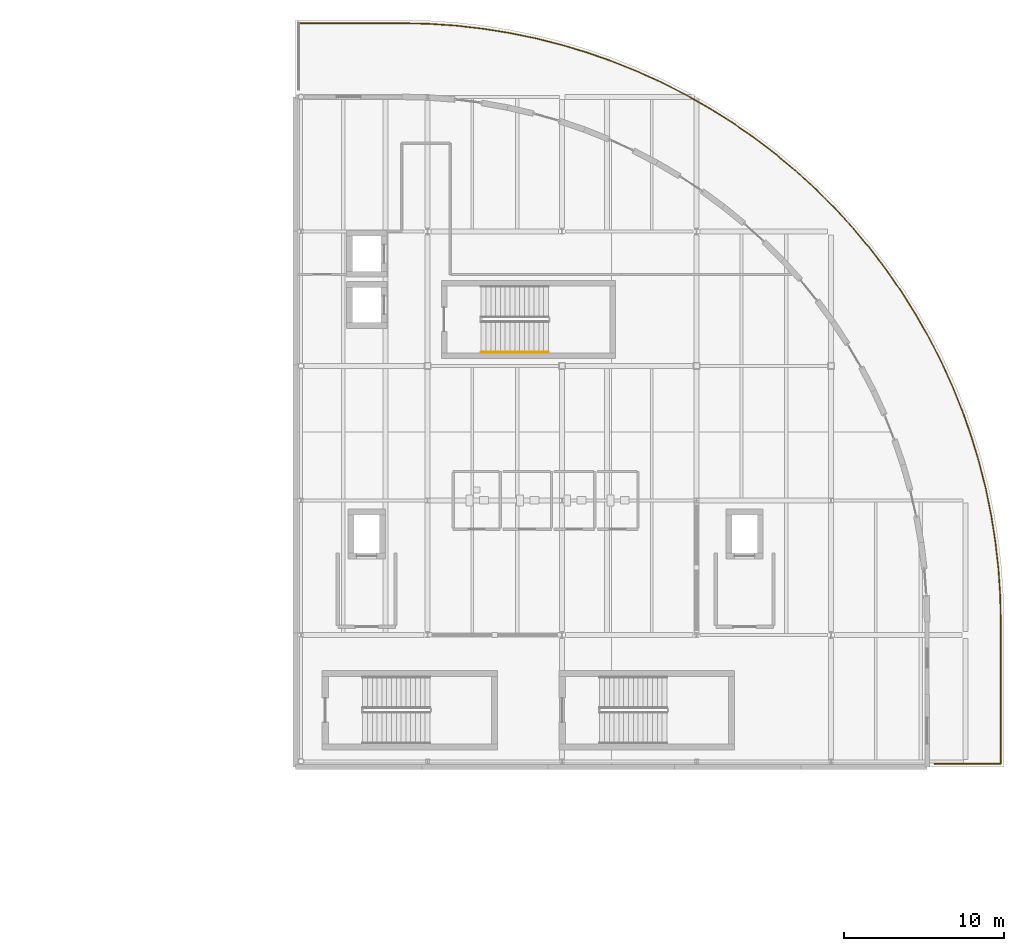
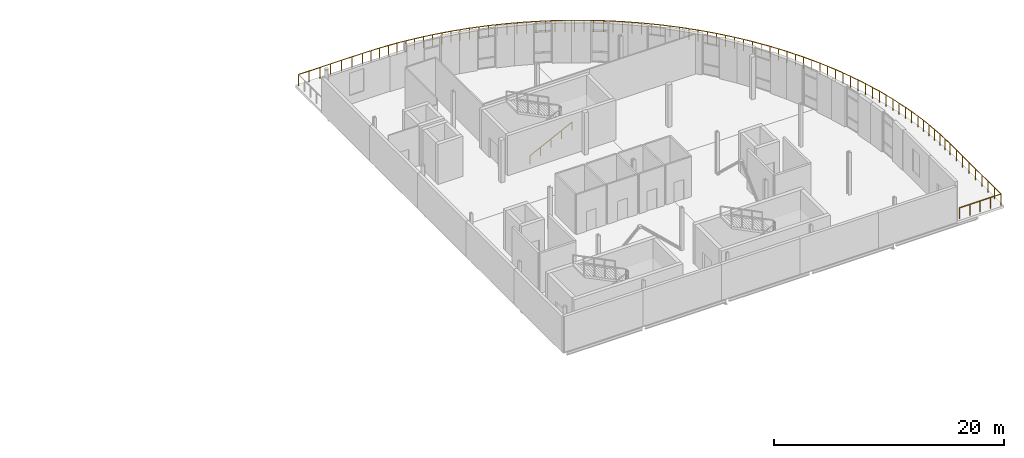
# One storey, part 38 of 40: 2 railings.
"""IFC4 building model written with IfcOpenShell, lengths in metres."""

from ifc_helpers import new_model, si_unit, direction, frame, origin, origin_2d, place, context, subcontext, project, spatial, circle, extrude, material, type_object, element, save


model = new_model("IFC4")

# Units and contexts
model_context = context("Model", 3, precision=1e-05, world=origin(), true_north=direction((0.0, 1.0)))
body_context = subcontext(model_context, "Body", "Model", "MODEL_VIEW")
ifc_project = project(units=[si_unit("LENGTHUNIT", "METRE"), si_unit("AREAUNIT", "SQUARE_METRE"), si_unit("VOLUMEUNIT", "CUBIC_METRE"), si_unit("PLANEANGLEUNIT", "RADIAN"), si_unit("MASSUNIT", "GRAM", prefix="KILO"), si_unit("THERMODYNAMICTEMPERATUREUNIT", "KELVIN")], contexts=[model_context])

# Site, building, storey
site_placement = place(None, origin())
site = spatial("IfcSite", under=ifc_project, at=site_placement, CompositionType="ELEMENT")
building_placement = place(site_placement, origin())
building = spatial("IfcBuilding", under=site, at=building_placement, Name="Lustrewick Department Store", CompositionType="ELEMENT")
storey_placement = place(building_placement, frame((0.0, 0.0, 31.800048828125)))
storey = spatial("IfcBuildingStorey", under=building, at=storey_placement, Name="L07", CompositionType="ELEMENT", Elevation=31.800048828125)

# Railings
ifc_material_1 = material(Name="Laminated glass and anodized aluminium guardrail", Category="aluminium")
railing_type_1 = type_object("IfcRailingType", Name="RL-EXT", PredefinedType="GUARDRAIL", material=ifc_material_1)
railing_1_placement = place(storey_placement, frame((109.550048828125, 97.0, 0.0)))
element("IfcRailing", 1, at=railing_1_placement, inside=storey, type_object=railing_type_1, Name="L07 Terrace Perimeter Guardrail 0018", PredefinedType="GUARDRAIL", context=body_context, shape_type="SweptSolid", body=[
    extrude(circle(Radius=0.02392578125, at=origin_2d()), frame((0.0, 0.0, 1.17578125), z_axis=(1.0, 0.0, 0.0), x_axis=(0.0, 1.0, 0.0)), (0.0, 0.0, 1.0), 6.44775390625),
    extrude(circle(Radius=0.02392578125, at=origin_2d()), frame((6.44775390625, 0.0, 1.17578125), z_axis=(0.999749724092, -0.022371615448, 0.0), x_axis=(0.022371615448, 0.999749724092, 0.0)), (0.0, 0.0, 1.0), 1.6806640625),
    extrude(circle(Radius=0.02392578125, at=origin_2d()), frame((8.1279296875, -0.03759765625, 1.17578125), z_axis=(0.997729459288, -0.067349284101, 0.0), x_axis=(0.067349284101, 0.997729459288, 0.0)), (0.0, 0.0, 1.0), 1.678466796875),
    extrude(circle(Radius=0.02392578125, at=origin_2d()), frame((9.802490234375, -0.150634765625, 1.17578125), z_axis=(0.993724850983, -0.111852226347, 0.0), x_axis=(0.111852226347, 0.993724850983, 0.0)), (0.0, 0.0, 1.0), 1.678466796875),
    extrude(circle(Radius=0.02392578125, at=origin_2d()), frame((11.470458984375, -0.33837890625, 1.17578125), z_axis=(0.987671970367, -0.156537787615, 0.0), x_axis=(0.156537787615, 0.987671970367, 0.0)), (0.0, 0.0, 1.0), 1.67822265625),
    extrude(circle(Radius=0.02392578125, at=origin_2d()), frame((13.1279296875, -0.60107421875, 1.17578125), z_axis=(0.979675320836, -0.200589794719, 0.0), x_axis=(0.200589794719, 0.979675320836, 0.0)), (0.0, 0.0, 1.0), 1.678466796875),
    extrude(circle(Radius=0.02392578125, at=origin_2d()), frame((14.772216796875, -0.937744140625, 1.17578125), z_axis=(0.969678669936, -0.24438346317, 0.0), x_axis=(0.24438346317, 0.969678669936, 0.0)), (0.0, 0.0, 1.0), 1.67822265625),
    extrude(circle(Radius=0.02392578125, at=origin_2d()), frame((16.399658203125, -1.347900390625, 1.17578125), z_axis=(0.957754188918, -0.287588097128, 0.0), x_axis=(0.287588097128, 0.957754188918, 0.0)), (0.0, 0.0, 1.0), 1.67822265625),
    extrude(circle(Radius=0.02392578125, at=origin_2d()), frame((18.007080078125, -1.83056640625, 1.17578125), z_axis=(0.943865159239, -0.330330987306, 0.0), x_axis=(0.330330987306, 0.943865159239, 0.0)), (0.0, 0.0, 1.0), 1.678466796875),
    extrude(circle(Radius=0.02392578125, at=origin_2d()), frame((19.59130859375, -2.385009765625, 1.17578125), z_axis=(0.928145287633, -0.37221811488, 0.0), x_axis=(0.37221811488, 0.928145287633, 0.0)), (0.0, 0.0, 1.0), 1.678466796875),
    extrude(circle(Radius=0.02392578125, at=origin_2d()), frame((21.149169921875, -3.009765625, 1.17578125), z_axis=(0.910476043727, -0.413561813759, 0.0), x_axis=(0.413561813759, 0.910476043727, 0.0)), (0.0, 0.0, 1.0), 1.67822265625),
    extrude(circle(Radius=0.02392578125, at=origin_2d()), frame((22.67724609375, -3.703857421875, 1.17578125), z_axis=(0.890997307839, -0.45400858739, 0.0), x_axis=(0.45400858739, 0.890997307839, 0.0)), (0.0, 0.0, 1.0), 1.67822265625),
    extrude(circle(Radius=0.02392578125, at=origin_2d()), frame((24.172607421875, -4.4658203125, 1.17578125), z_axis=(0.86977872885, -0.493441954885, 0.0), x_axis=(0.493441954885, 0.86977872885, 0.0)), (0.0, 0.0, 1.0), 1.67822265625),
    extrude(circle(Radius=0.02392578125, at=origin_2d()), frame((25.63232421875, -5.2939453125, 1.17578125), z_axis=(0.846696462318, -0.532076217001, 0.0), x_axis=(0.532076217001, 0.846696462318, 0.0)), (0.0, 0.0, 1.0), 1.678466796875),
    extrude(circle(Radius=0.02392578125, at=origin_2d()), frame((27.053466796875, -6.18701171875, 1.17578125), z_axis=(0.822003628289, -0.56948225177, 0.0), x_axis=(0.56948225177, 0.822003628289, 0.0)), (0.0, 0.0, 1.0), 1.678466796875),
    extrude(circle(Radius=0.02392578125, at=origin_2d()), frame((28.43310546875, -7.142822265625, 1.17578125), z_axis=(0.795685428822, -0.605710077809, 0.0), x_axis=(0.605710077809, 0.795685428822, 0.0)), (0.0, 0.0, 1.0), 1.678466796875),
    extrude(circle(Radius=0.02392578125, at=origin_2d()), frame((29.7685546875, -8.159423828125, 1.17578125), z_axis=(0.767612846365, -0.640913814873, 0.0), x_axis=(0.640913814873, 0.767612846365, 0.0)), (0.0, 0.0, 1.0), 1.678466796875),
    extrude(circle(Radius=0.02392578125, at=origin_2d()), frame((31.056884765625, -9.235107421875, 1.17578125), z_axis=(0.738107459619, -0.674683168647, 0.0), x_axis=(0.674683168647, 0.738107459619, 0.0)), (0.0, 0.0, 1.0), 1.67822265625),
    extrude(circle(Radius=0.02392578125, at=origin_2d()), frame((32.295654296875, -10.367431640625, 1.17578125), z_axis=(0.707106781187, -0.707106781187, 0.0), x_axis=(0.707106781187, 0.707106781187, 0.0)), (0.0, 0.0, 1.0), 1.67822265625),
    extrude(circle(Radius=0.02392578125, at=origin_2d()), frame((33.482421875, -11.55419921875, 1.17578125), z_axis=(0.674610731481, -0.738173665861, 0.0), x_axis=(0.738173665861, 0.674610731481, 0.0)), (0.0, 0.0, 1.0), 1.678466796875),
    extrude(circle(Radius=0.02392578125, at=origin_2d()), frame((34.61474609375, -12.793212890625, 1.17578125), z_axis=(0.640913814873, -0.767612846365, 0.0), x_axis=(0.767612846365, 0.640913814873, 0.0)), (0.0, 0.0, 1.0), 1.678466796875),
    extrude(circle(Radius=0.02392578125, at=origin_2d()), frame((35.6904296875, -14.08154296875, 1.17578125), z_axis=(0.605710077809, -0.795685428822, 0.0), x_axis=(0.795685428822, 0.605710077809, 0.0)), (0.0, 0.0, 1.0), 1.678466796875),
    extrude(circle(Radius=0.02392578125, at=origin_2d()), frame((36.70703125, -15.4169921875, 1.17578125), z_axis=(0.56955035094, -0.821956445162, 0.0), x_axis=(0.821956445162, 0.56955035094, 0.0)), (0.0, 0.0, 1.0), 1.67822265625),
    extrude(circle(Radius=0.02392578125, at=origin_2d()), frame((37.662841796875, -16.79638671875, 1.17578125), z_axis=(0.532076217001, -0.846696462318, 0.0), x_axis=(0.846696462318, 0.532076217001, 0.0)), (0.0, 0.0, 1.0), 1.678466796875),
    extrude(circle(Radius=0.02392578125, at=origin_2d()), frame((38.555908203125, -18.217529296875, 1.17578125), z_axis=(0.493441954885, -0.86977872885, 0.0), x_axis=(0.86977872885, 0.493441954885, 0.0)), (0.0, 0.0, 1.0), 1.67822265625),
    extrude(circle(Radius=0.02392578125, at=origin_2d()), frame((39.384033203125, -19.67724609375, 1.17578125), z_axis=(0.454065214568, -0.890968451136, 0.0), x_axis=(0.890968451136, 0.454065214568, 0.0)), (0.0, 0.0, 1.0), 1.6787109375),
    extrude(circle(Radius=0.02392578125, at=origin_2d()), frame((40.146240234375, -21.1728515625, 1.17578125), z_axis=(0.413441215842, -0.910530812792, 0.0), x_axis=(0.910530812792, 0.413441215842, 0.0)), (0.0, 0.0, 1.0), 1.67822265625),
    extrude(circle(Radius=0.02392578125, at=origin_2d()), frame((40.840087890625, -22.700927734375, 1.17578125), z_axis=(0.37239367528, -0.928074862612, 0.0), x_axis=(0.928074862612, 0.37239367528, 0.0)), (0.0, 0.0, 1.0), 1.67822265625),
    extrude(circle(Radius=0.02392578125, at=origin_2d()), frame((41.465087890625, -24.258544921875, 1.17578125), z_axis=(0.330201393756, -0.943910504, 0.0), x_axis=(0.943910504, 0.330201393756, 0.0)), (0.0, 0.0, 1.0), 1.678466796875),
    extrude(circle(Radius=0.02392578125, at=origin_2d()), frame((42.019287109375, -25.8427734375, 1.17578125), z_axis=(0.287721524552, -0.957714114081, 0.0), x_axis=(0.957714114081, 0.287721524552, 0.0)), (0.0, 0.0, 1.0), 1.678466796875),
    extrude(circle(Radius=0.02392578125, at=origin_2d()), frame((42.502197265625, -27.4501953125, 1.17578125), z_axis=(0.24438346317, -0.969678669936, 0.0), x_axis=(0.969678669936, 0.24438346317, 0.0)), (0.0, 0.0, 1.0), 1.67822265625),
    extrude(circle(Radius=0.02392578125, at=origin_2d()), frame((42.912353515625, -29.07763671875, 1.17578125), z_axis=(0.200589794719, -0.979675320836, 0.0), x_axis=(0.979675320836, 0.200589794719, 0.0)), (0.0, 0.0, 1.0), 1.678466796875),
    extrude(circle(Radius=0.02392578125, at=origin_2d()), frame((43.2490234375, -30.721923828125, 1.17578125), z_axis=(0.156373396436, -0.987698010977, 0.0), x_axis=(0.987698010977, 0.156373396436, 0.0)), (0.0, 0.0, 1.0), 1.678466796875),
    extrude(circle(Radius=0.02392578125, at=origin_2d()), frame((43.511474609375, -32.379638671875, 1.17578125), z_axis=(0.111995854638, -0.99370867388, 0.0), x_axis=(0.99370867388, 0.111995854638, 0.0)), (0.0, 0.0, 1.0), 1.678466796875),
    extrude(circle(Radius=0.02392578125, at=origin_2d()), frame((43.699462890625, -34.047607421875, 1.17578125), z_axis=(0.067204478967, -0.997739223448, 0.0), x_axis=(0.997739223448, 0.067204478967, 0.0)), (0.0, 0.0, 1.0), 1.678466796875),
    extrude(circle(Radius=0.02392578125, at=origin_2d()), frame((43.812255859375, -35.72216796875, 1.17578125), z_axis=(0.022374865036, -0.99974965137, 0.0), x_axis=(0.99974965137, 0.022374865036, 0.0)), (0.0, 0.0, 1.0), 1.680419921875),
    extrude(circle(Radius=0.02392578125, at=origin_2d()), frame((43.849853515625, -37.402099609375, 1.17578125), z_axis=(0.0, -1.0, 0.0), x_axis=(1.0, 0.0, 0.0)), (0.0, 0.0, 1.0), 8.847900390625),
    extrude(circle(Radius=0.02392578125, at=origin_2d()), frame((43.849853515625, -46.25, 1.17578125), z_axis=(-1.0, 0.0, 0.0), x_axis=(0.0, -1.0, 0.0)), (0.0, 0.0, 1.0), 4.14990234375),
    extrude(circle(Radius=0.02099609375, at=origin_2d()), origin(), (0.0, 0.0, 1.0), 1.15185546875),
    extrude(circle(Radius=0.02099609375, at=origin_2d()), frame((1.07470703125, 0.0, 0.0)), (0.0, 0.0, 1.0), 1.15185546875),
    extrude(circle(Radius=0.02099609375, at=origin_2d()), frame((2.149169921875, 0.0, 0.0)), (0.0, 0.0, 1.0), 1.15185546875),
    extrude(circle(Radius=0.02099609375, at=origin_2d()), frame((3.223876953125, 0.0, 0.0)), (0.0, 0.0, 1.0), 1.15185546875),
    extrude(circle(Radius=0.02099609375, at=origin_2d()), frame((4.298583984375, 0.0, 0.0)), (0.0, 0.0, 1.0), 1.15185546875),
    extrude(circle(Radius=0.02099609375, at=origin_2d()), frame((5.373046875, 0.0, 0.0)), (0.0, 0.0, 1.0), 1.15185546875),
    extrude(circle(Radius=0.02099609375, at=origin_2d()), frame((6.44775390625, 0.0, 0.0)), (0.0, 0.0, 1.0), 1.15185546875),
    extrude(circle(Radius=0.02099609375, at=origin_2d()), frame((7.287841796875, -0.018798828125, 0.0)), (0.0, 0.0, 1.0), 1.15185546875),
    extrude(circle(Radius=0.02099609375, at=origin_2d()), frame((8.1279296875, -0.03759765625, 0.0)), (0.0, 0.0, 1.0), 1.15185546875),
    extrude(circle(Radius=0.02099609375, at=origin_2d()), frame((8.96533203125, -0.09423828125, 0.0)), (0.0, 0.0, 1.0), 1.15185546875),
    extrude(circle(Radius=0.02099609375, at=origin_2d()), frame((9.802490234375, -0.150634765625, 0.0)), (0.0, 0.0, 1.0), 1.15185546875),
    extrude(circle(Radius=0.02099609375, at=origin_2d()), frame((10.636474609375, -0.24462890625, 0.0)), (0.0, 0.0, 1.0), 1.15185546875),
    extrude(circle(Radius=0.02099609375, at=origin_2d()), frame((11.470458984375, -0.33837890625, 0.0)), (0.0, 0.0, 1.0), 1.15185546875),
    extrude(circle(Radius=0.02099609375, at=origin_2d()), frame((12.29931640625, -0.4697265625, 0.0)), (0.0, 0.0, 1.0), 1.15185546875),
    extrude(circle(Radius=0.02099609375, at=origin_2d()), frame((13.1279296875, -0.60107421875, 0.0)), (0.0, 0.0, 1.0), 1.15185546875),
    extrude(circle(Radius=0.02099609375, at=origin_2d()), frame((13.9501953125, -0.76953125, 0.0)), (0.0, 0.0, 1.0), 1.15185546875),
    extrude(circle(Radius=0.02099609375, at=origin_2d()), frame((14.772216796875, -0.937744140625, 0.0)), (0.0, 0.0, 1.0), 1.15185546875),
    extrude(circle(Radius=0.02099609375, at=origin_2d()), frame((15.5859375, -1.142822265625, 0.0)), (0.0, 0.0, 1.0), 1.15185546875),
    extrude(circle(Radius=0.02099609375, at=origin_2d()), frame((16.399658203125, -1.347900390625, 0.0)), (0.0, 0.0, 1.0), 1.15185546875),
    extrude(circle(Radius=0.02099609375, at=origin_2d()), frame((17.203369140625, -1.58935546875, 0.0)), (0.0, 0.0, 1.0), 1.15185546875),
    extrude(circle(Radius=0.02099609375, at=origin_2d()), frame((18.007080078125, -1.83056640625, 0.0)), (0.0, 0.0, 1.0), 1.15185546875),
    extrude(circle(Radius=0.02099609375, at=origin_2d()), frame((18.79931640625, -2.10791015625, 0.0)), (0.0, 0.0, 1.0), 1.15185546875),
    extrude(circle(Radius=0.02099609375, at=origin_2d()), frame((19.59130859375, -2.385009765625, 0.0)), (0.0, 0.0, 1.0), 1.15185546875),
    extrude(circle(Radius=0.02099609375, at=origin_2d()), frame((20.3701171875, -2.697265625, 0.0)), (0.0, 0.0, 1.0), 1.15185546875),
    extrude(circle(Radius=0.02099609375, at=origin_2d()), frame((21.149169921875, -3.009765625, 0.0)), (0.0, 0.0, 1.0), 1.15185546875),
    extrude(circle(Radius=0.02099609375, at=origin_2d()), frame((21.9130859375, -3.35693359375, 0.0)), (0.0, 0.0, 1.0), 1.15185546875),
    extrude(circle(Radius=0.02099609375, at=origin_2d()), frame((22.67724609375, -3.703857421875, 0.0)), (0.0, 0.0, 1.0), 1.15185546875),
    extrude(circle(Radius=0.02099609375, at=origin_2d()), frame((23.4248046875, -4.0849609375, 0.0)), (0.0, 0.0, 1.0), 1.15185546875),
    extrude(circle(Radius=0.02099609375, at=origin_2d()), frame((24.172607421875, -4.4658203125, 0.0)), (0.0, 0.0, 1.0), 1.15185546875),
    extrude(circle(Radius=0.02099609375, at=origin_2d()), frame((24.90234375, -4.8798828125, 0.0)), (0.0, 0.0, 1.0), 1.15185546875),
    extrude(circle(Radius=0.02099609375, at=origin_2d()), frame((25.63232421875, -5.2939453125, 0.0)), (0.0, 0.0, 1.0), 1.15185546875),
    extrude(circle(Radius=0.02099609375, at=origin_2d()), frame((26.3427734375, -5.740478515625, 0.0)), (0.0, 0.0, 1.0), 1.15185546875),
    extrude(circle(Radius=0.02099609375, at=origin_2d()), frame((27.053466796875, -6.18701171875, 0.0)), (0.0, 0.0, 1.0), 1.15185546875),
    extrude(circle(Radius=0.02099609375, at=origin_2d()), frame((27.7431640625, -6.6650390625, 0.0)), (0.0, 0.0, 1.0), 1.15185546875),
    extrude(circle(Radius=0.02099609375, at=origin_2d()), frame((28.43310546875, -7.142822265625, 0.0)), (0.0, 0.0, 1.0), 1.15185546875),
    extrude(circle(Radius=0.02099609375, at=origin_2d()), frame((29.100830078125, -7.651123046875, 0.0)), (0.0, 0.0, 1.0), 1.15185546875),
    extrude(circle(Radius=0.02099609375, at=origin_2d()), frame((29.7685546875, -8.159423828125, 0.0)), (0.0, 0.0, 1.0), 1.15185546875),
    extrude(circle(Radius=0.02099609375, at=origin_2d()), frame((30.41259765625, -8.697265625, 0.0)), (0.0, 0.0, 1.0), 1.15185546875),
    extrude(circle(Radius=0.02099609375, at=origin_2d()), frame((31.056884765625, -9.235107421875, 0.0)), (0.0, 0.0, 1.0), 1.15185546875),
    extrude(circle(Radius=0.02099609375, at=origin_2d()), frame((31.67626953125, -9.80126953125, 0.0)), (0.0, 0.0, 1.0), 1.15185546875),
    extrude(circle(Radius=0.02099609375, at=origin_2d()), frame((32.295654296875, -10.367431640625, 0.0)), (0.0, 0.0, 1.0), 1.15185546875),
    extrude(circle(Radius=0.02099609375, at=origin_2d()), frame((32.88916015625, -10.9609375, 0.0)), (0.0, 0.0, 1.0), 1.15185546875),
    extrude(circle(Radius=0.02099609375, at=origin_2d()), frame((33.482421875, -11.55419921875, 0.0)), (0.0, 0.0, 1.0), 1.15185546875),
    extrude(circle(Radius=0.02099609375, at=origin_2d()), frame((34.048583984375, -12.173828125, 0.0)), (0.0, 0.0, 1.0), 1.15185546875),
    extrude(circle(Radius=0.02099609375, at=origin_2d()), frame((34.61474609375, -12.793212890625, 0.0)), (0.0, 0.0, 1.0), 1.15185546875),
    extrude(circle(Radius=0.02099609375, at=origin_2d()), frame((35.152587890625, -13.4375, 0.0)), (0.0, 0.0, 1.0), 1.15185546875),
    extrude(circle(Radius=0.02099609375, at=origin_2d()), frame((35.6904296875, -14.08154296875, 0.0)), (0.0, 0.0, 1.0), 1.15185546875),
    extrude(circle(Radius=0.02099609375, at=origin_2d()), frame((36.19873046875, -14.749267578125, 0.0)), (0.0, 0.0, 1.0), 1.15185546875),
    extrude(circle(Radius=0.02099609375, at=origin_2d()), frame((36.70703125, -15.4169921875, 0.0)), (0.0, 0.0, 1.0), 1.15185546875),
    extrude(circle(Radius=0.02099609375, at=origin_2d()), frame((37.18505859375, -16.106689453125, 0.0)), (0.0, 0.0, 1.0), 1.15185546875),
    extrude(circle(Radius=0.02099609375, at=origin_2d()), frame((37.662841796875, -16.79638671875, 0.0)), (0.0, 0.0, 1.0), 1.15185546875),
    extrude(circle(Radius=0.02099609375, at=origin_2d()), frame((38.109375, -17.5068359375, 0.0)), (0.0, 0.0, 1.0), 1.15185546875),
    extrude(circle(Radius=0.02099609375, at=origin_2d()), frame((38.555908203125, -18.217529296875, 0.0)), (0.0, 0.0, 1.0), 1.15185546875),
    extrude(circle(Radius=0.02099609375, at=origin_2d()), frame((38.969970703125, -18.947265625, 0.0)), (0.0, 0.0, 1.0), 1.15185546875),
    extrude(circle(Radius=0.02099609375, at=origin_2d()), frame((39.384033203125, -19.67724609375, 0.0)), (0.0, 0.0, 1.0), 1.15185546875),
    extrude(circle(Radius=0.02099609375, at=origin_2d()), frame((39.76513671875, -20.425048828125, 0.0)), (0.0, 0.0, 1.0), 1.15185546875),
    extrude(circle(Radius=0.02099609375, at=origin_2d()), frame((40.146240234375, -21.1728515625, 0.0)), (0.0, 0.0, 1.0), 1.15185546875),
    extrude(circle(Radius=0.02099609375, at=origin_2d()), frame((40.4931640625, -21.93701171875, 0.0)), (0.0, 0.0, 1.0), 1.15185546875),
    extrude(circle(Radius=0.02099609375, at=origin_2d()), frame((40.840087890625, -22.700927734375, 0.0)), (0.0, 0.0, 1.0), 1.15185546875),
    extrude(circle(Radius=0.02099609375, at=origin_2d()), frame((41.152587890625, -23.479736328125, 0.0)), (0.0, 0.0, 1.0), 1.15185546875),
    extrude(circle(Radius=0.02099609375, at=origin_2d()), frame((41.465087890625, -24.258544921875, 0.0)), (0.0, 0.0, 1.0), 1.15185546875),
    extrude(circle(Radius=0.02099609375, at=origin_2d()), frame((41.7421875, -25.05078125, 0.0)), (0.0, 0.0, 1.0), 1.15185546875),
    extrude(circle(Radius=0.02099609375, at=origin_2d()), frame((42.019287109375, -25.8427734375, 0.0)), (0.0, 0.0, 1.0), 1.15185546875),
    extrude(circle(Radius=0.02099609375, at=origin_2d()), frame((42.2607421875, -26.646484375, 0.0)), (0.0, 0.0, 1.0), 1.15185546875),
    extrude(circle(Radius=0.02099609375, at=origin_2d()), frame((42.502197265625, -27.4501953125, 0.0)), (0.0, 0.0, 1.0), 1.15185546875),
    extrude(circle(Radius=0.02099609375, at=origin_2d()), frame((42.707275390625, -28.263916015625, 0.0)), (0.0, 0.0, 1.0), 1.15185546875),
    extrude(circle(Radius=0.02099609375, at=origin_2d()), frame((42.912353515625, -29.07763671875, 0.0)), (0.0, 0.0, 1.0), 1.15185546875),
    extrude(circle(Radius=0.02099609375, at=origin_2d()), frame((43.08056640625, -29.89990234375, 0.0)), (0.0, 0.0, 1.0), 1.15185546875),
    extrude(circle(Radius=0.02099609375, at=origin_2d()), frame((43.2490234375, -30.721923828125, 0.0)), (0.0, 0.0, 1.0), 1.15185546875),
    extrude(circle(Radius=0.02099609375, at=origin_2d()), frame((43.38037109375, -31.55078125, 0.0)), (0.0, 0.0, 1.0), 1.15185546875),
    extrude(circle(Radius=0.02099609375, at=origin_2d()), frame((43.511474609375, -32.379638671875, 0.0)), (0.0, 0.0, 1.0), 1.15185546875),
    extrude(circle(Radius=0.02099609375, at=origin_2d()), frame((43.60546875, -33.213623046875, 0.0)), (0.0, 0.0, 1.0), 1.15185546875),
    extrude(circle(Radius=0.02099609375, at=origin_2d()), frame((43.699462890625, -34.047607421875, 0.0)), (0.0, 0.0, 1.0), 1.15185546875),
    extrude(circle(Radius=0.02099609375, at=origin_2d()), frame((43.755859375, -34.884765625, 0.0)), (0.0, 0.0, 1.0), 1.15185546875),
    extrude(circle(Radius=0.02099609375, at=origin_2d()), frame((43.812255859375, -35.72216796875, 0.0)), (0.0, 0.0, 1.0), 1.15185546875),
    extrude(circle(Radius=0.02099609375, at=origin_2d()), frame((43.8310546875, -36.56201171875, 0.0)), (0.0, 0.0, 1.0), 1.15185546875),
    extrude(circle(Radius=0.02099609375, at=origin_2d()), frame((43.849853515625, -37.402099609375, 0.0)), (0.0, 0.0, 1.0), 1.15185546875),
    extrude(circle(Radius=0.02099609375, at=origin_2d()), frame((43.849853515625, -38.508056640625, 0.0)), (0.0, 0.0, 1.0), 1.15185546875),
    extrude(circle(Radius=0.02099609375, at=origin_2d()), frame((43.849853515625, -39.614013671875, 0.0)), (0.0, 0.0, 1.0), 1.15185546875),
    extrude(circle(Radius=0.02099609375, at=origin_2d()), frame((43.849853515625, -40.719970703125, 0.0)), (0.0, 0.0, 1.0), 1.15185546875),
    extrude(circle(Radius=0.02099609375, at=origin_2d()), frame((43.849853515625, -41.826171875, 0.0)), (0.0, 0.0, 1.0), 1.15185546875),
    extrude(circle(Radius=0.02099609375, at=origin_2d()), frame((43.849853515625, -42.93212890625, 0.0)), (0.0, 0.0, 1.0), 1.15185546875),
    extrude(circle(Radius=0.02099609375, at=origin_2d()), frame((43.849853515625, -44.0380859375, 0.0)), (0.0, 0.0, 1.0), 1.15185546875),
    extrude(circle(Radius=0.02099609375, at=origin_2d()), frame((43.849853515625, -45.14404296875, 0.0)), (0.0, 0.0, 1.0), 1.15185546875),
    extrude(circle(Radius=0.02099609375, at=origin_2d()), frame((43.849853515625, -46.25, 0.0)), (0.0, 0.0, 1.0), 1.15185546875),
    extrude(circle(Radius=0.02099609375, at=origin_2d()), frame((42.8125, -46.25, 0.0)), (0.0, 0.0, 1.0), 1.15185546875),
    extrude(circle(Radius=0.02099609375, at=origin_2d()), frame((41.77490234375, -46.25, 0.0)), (0.0, 0.0, 1.0), 1.15185546875),
    extrude(circle(Radius=0.02099609375, at=origin_2d()), frame((40.7373046875, -46.25, 0.0)), (0.0, 0.0, 1.0), 1.15185546875),
    extrude(circle(Radius=0.02099609375, at=origin_2d()), frame((39.699951171875, -46.25, 0.0)), (0.0, 0.0, 1.0), 1.15185546875),
])
ifc_material_2 = material(Name="Brushed stainless steel wall handrail", Category="steel")
railing_type_2 = type_object("IfcRailingType", Name="RL-STH", PredefinedType="HANDRAIL", material=ifc_material_2)
railing_2_placement = place(storey_placement, frame((120.949951171875, 76.449951171875, 0.14990234375)))
element("IfcRailing", 2, at=railing_2_placement, inside=storey, type_object=railing_type_2, Name="L07 ST10 Stair Handrail 1", PredefinedType="HANDRAIL", context=body_context, shape_type="SweptSolid", body=[
    extrude(circle(Radius=0.02392578125, at=origin_2d()), frame((0.0, 0.0, 0.8759765625), z_axis=(0.894416792377, 0.0, 0.447234392142), x_axis=(0.0, 1.0, 0.0)), (0.0, 0.0, 1.0), 4.69580078125),
    extrude(circle(Radius=0.02099609375, at=origin_2d()), origin(), (0.0, 0.0, 1.0), 0.851806640625),
    extrude(circle(Radius=0.02099609375, at=origin_2d()), frame((1.050048828125, 0.0, 0.52490234375)), (0.0, 0.0, 1.0), 0.851806640625),
    extrude(circle(Radius=0.02099609375, at=origin_2d()), frame((2.10009765625, 0.0, 1.050048828125)), (0.0, 0.0, 1.0), 0.851806640625),
    extrude(circle(Radius=0.02099609375, at=origin_2d()), frame((3.14990234375, 0.0, 1.5751953125)), (0.0, 0.0, 1.0), 0.851806640625),
    extrude(circle(Radius=0.02099609375, at=origin_2d()), frame((4.199951171875, 0.0, 2.10009765625)), (0.0, 0.0, 1.0), 0.851806640625),
])

save(model, "model.ifc")
